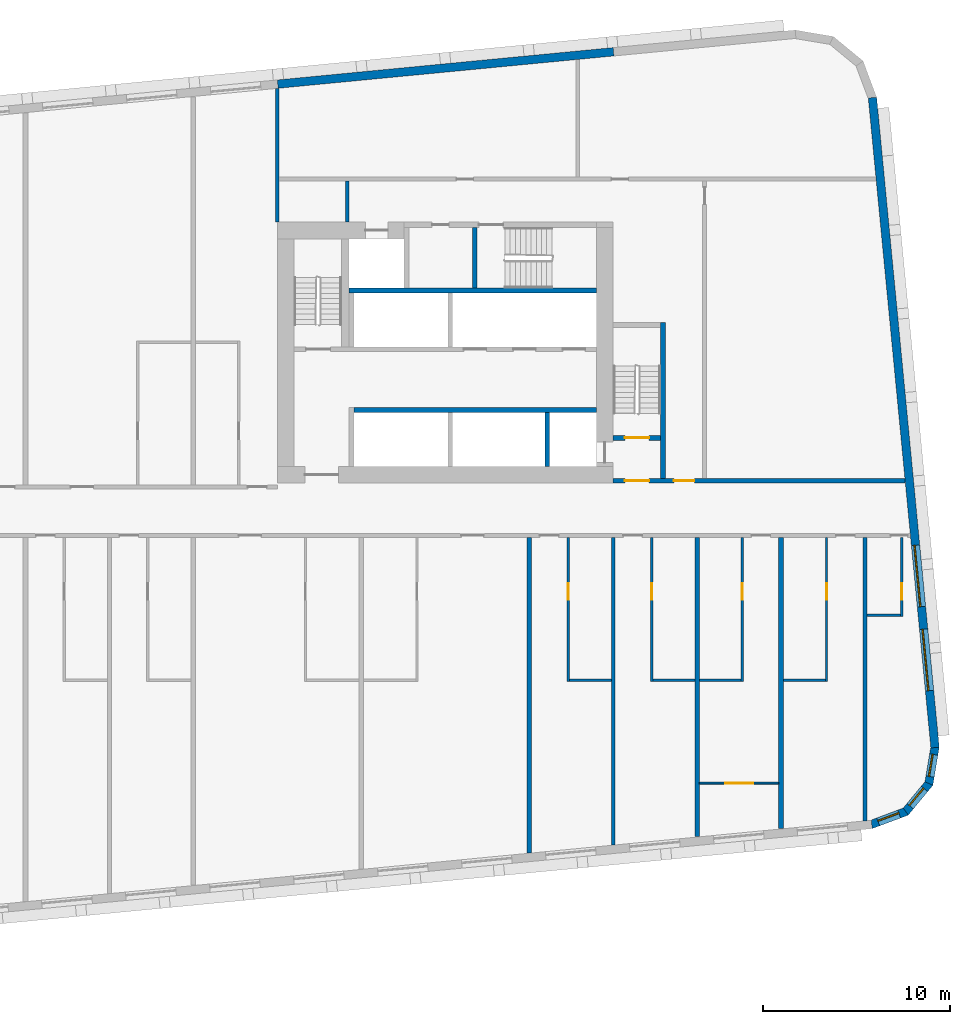
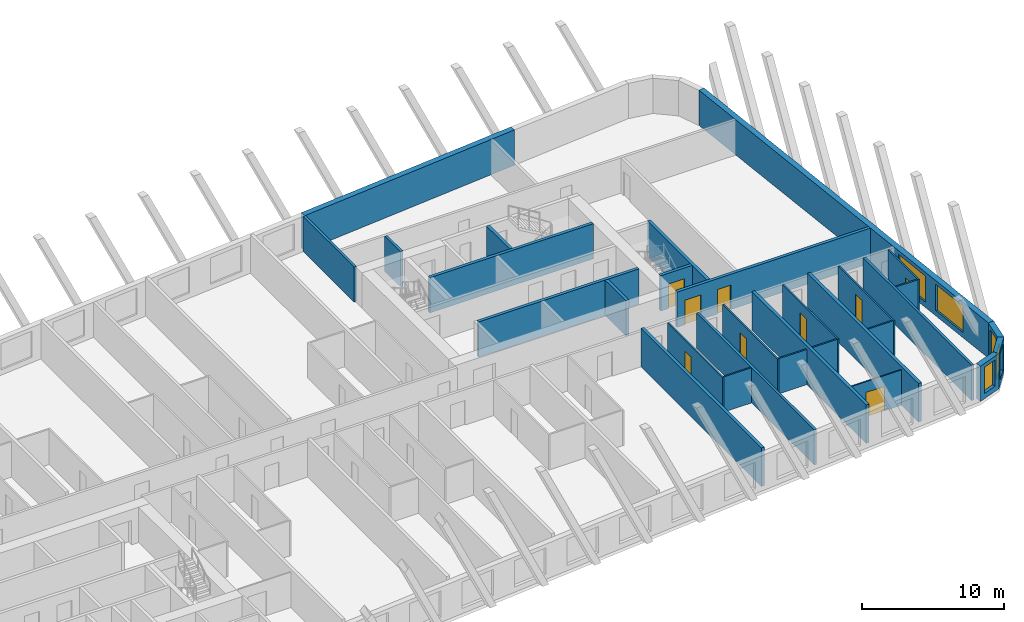
# One storey, part 7 of 13: 30 walls, 9 doors, 5 windows, 14 openings.
"""IFC4 building model written with IfcOpenShell, lengths in metres."""

from ifc_helpers import new_model, si_unit, direction, frame, frame_2d, origin, place, context, subcontext, project, spatial, polyline, rectangle, outline, extrude, material, layer, layer_set, type_object, element, fill, save


model = new_model("IFC4")

# Units and contexts
model_context = context("Model", 3, precision=1e-05, world=origin(), true_north=direction((0.0, 1.0)))
body_context = subcontext(model_context, "Body", "Model", "MODEL_VIEW")
ifc_project = project(units=[si_unit("LENGTHUNIT", "METRE"), si_unit("AREAUNIT", "SQUARE_METRE"), si_unit("VOLUMEUNIT", "CUBIC_METRE"), si_unit("PLANEANGLEUNIT", "RADIAN"), si_unit("MASSUNIT", "GRAM", prefix="KILO")], contexts=[model_context])

# Site, building, storey
site_placement = place(None, origin())
site = spatial("IfcSite", under=ifc_project, at=site_placement, CompositionType="ELEMENT")
building_placement = place(site_placement, origin())
building = spatial("IfcBuilding", under=site, at=building_placement, Name="Kajstack Hotel Tower", CompositionType="ELEMENT")
storey_placement = place(building_placement, frame((0.0, 0.0, 130.60009765625)))
storey = spatial("IfcBuildingStorey", under=building, at=storey_placement, Name="L29", CompositionType="ELEMENT", Elevation=130.60009765625)

# Walls
ifc_material_1 = material(Name="Twin-frame gypsum board on steel studs, mineral wool", Category="steel")
ifc_layer_1 = layer(ifc_material_1, 0.199951171875)
ifc_layer_set_1 = layer_set([ifc_layer_1], Name="Demising wall 200")
wall_type_1 = type_object("IfcWallType", Name="Demising wall 200", PredefinedType="PARTITIONING", material=ifc_layer_set_1)
wall_1_placement = place(storey_placement, frame((13.5, 15.5, 0.0), z_axis=(0.0, 0.0, 1.0), x_axis=(0.0, 1.0, 0.0)))
element("IfcWall", 1, at=wall_1_placement, inside=storey, type_object=wall_type_1, Name="G-wall-L29-001", PredefinedType="PARTITIONING", context=body_context, shape_type="SweptSolid", body=[
    extrude(rectangle(XDim=7.162109375, YDim=0.199951171875, at=frame_2d((3.5810546875, 0.0))), origin(), (0.0, 0.0, 1.0), 3.02001953125),
])
wall_2_placement = place(storey_placement, frame((31.5, -17.89892578125, 0.0), z_axis=(0.0, 0.0, 1.0), x_axis=(0.0, 1.0, 0.0)))
element("IfcWall", 2, at=wall_2_placement, inside=storey, type_object=wall_type_1, Name="G-wall-L29-036", PredefinedType="PARTITIONING", context=body_context, shape_type="SweptSolid", body=[
    extrude(rectangle(XDim=16.4990234375, YDim=0.199951171875, at=frame_2d((8.24951171875, 0.0))), origin(), (0.0, 0.0, 1.0), 3.02001953125),
])
wall_3_placement = place(storey_placement, frame((45.0, -16.59912109375, 0.0), z_axis=(0.0, 0.0, 1.0), x_axis=(0.0, 1.0, 0.0)))
element("IfcWall", 3, at=wall_3_placement, inside=storey, type_object=wall_type_1, Name="G-wall-L29-044", PredefinedType="PARTITIONING", context=body_context, shape_type="SweptSolid", body=[
    extrude(rectangle(XDim=15.19921875, YDim=0.199951171875, at=frame_2d((7.599609375, 0.0))), origin(), (0.0, 0.0, 1.0), 3.02001953125),
])
ifc_material_2 = material(Name="Concrete C40/50", Category="concrete")
ifc_layer_2 = layer(ifc_material_2, 0.449951171875)
ifc_layer_set_2 = layer_set([ifc_layer_2], Name="EW-CORE")
wall_type_2 = type_object("IfcWallType", Name="EW-CORE", PredefinedType="SOLIDWALL", material=ifc_layer_set_2)
wall_4_placement = place(storey_placement, frame((31.521484375, 24.623291015625, 0.0), z_axis=(0.0, 0.0, 1.0), x_axis=(-0.995396454615, -0.095843091245, 0.0)))
element("IfcWall", 4, at=wall_4_placement, inside=storey, type_object=wall_type_2, Name="E-wall-L29-12-01", PredefinedType="SOLIDWALL", context=body_context, shape_type="SweptSolid", body=[
    extrude(rectangle(XDim=18.083251953125, YDim=0.449951171875, at=frame_2d((9.04150390625, 0.0))), origin(), (0.0, 0.0, 1.0), 3.02001953125),
])

# Wall, opening, window
ifc_material_3 = material(Name="Terracotta-faced brick masonry", Category="masonry")
ifc_layer_3 = layer(ifc_material_3, 0.449951171875)
ifc_layer_set_3 = layer_set([ifc_layer_3], Name="EW-TERRA")
wall_type_3 = type_object("IfcWallType", Name="EW-TERRA", PredefinedType="SOLIDWALL", material=ifc_layer_set_3)
wall_5_placement = place(storey_placement, frame((45.300048828125, -16.804443359375, 0.0), z_axis=(0.0, 0.0, 1.0), x_axis=(0.936677599948, 0.350192909346, 0.0)))
wall_5 = element("IfcWall", 5, at=wall_5_placement, inside=storey, type_object=wall_type_3, Name="E-wall-L29-05-00", PredefinedType="SOLIDWALL", context=body_context, shape_type="SweptSolid", body=[
    extrude(outline(polyline([(0.0, -0.224853515625), (2.070556640625, -0.224853515625), (1.949951171875, 0.22509765625), (0.12060546875, 0.22509765625), (0.0, -0.224853515625)])), origin(), (0.0, 0.0, 1.0), 3.02001953125),
])
opening_1_placement = place(wall_5_placement, frame((0.435302734375, 0.0, 0.449951171875)))
opening_1 = element("IfcOpeningElement", 6, at=opening_1_placement, cuts=wall_5, Name="Opening W3", PredefinedType="OPENING", context=body_context, shape_type="SweptSolid", body=[
    extrude(rectangle(XDim=1.199951171875, YDim=2.25, at=frame_2d((0.60009765625, 1.125))), frame((0.0, 0.23486328125, 0.0), z_axis=(0.0, -1.0, 0.0), x_axis=(1.0, 0.0, 0.0)), (0.0, 0.0, 1.0), 0.469970703125),
])
ifc_material_4 = material(Name="Timber-aluminium window, triple glazed", Category="wood")
window_type_1 = type_object("IfcWindowType", Name="WG3", PartitioningType="SINGLE_PANEL", PredefinedType="WINDOW", material=ifc_material_4)
window_1_placement = place(opening_1_placement, origin())
window_1 = element("IfcWindow", 7, at=window_1_placement, inside=storey, type_object=window_type_1, Name="Window W3 L29-05", OverallHeight=2.25, OverallWidth=1.199951171875, PartitioningType="SINGLE_PANEL", PredefinedType="WINDOW", context=body_context, shape_type="SweptSolid", body=[
    extrude(rectangle(XDim=1.199951171875, YDim=2.25, at=frame_2d((0.60009765625, 1.125))), frame((0.0, 0.090087890625, 0.0), z_axis=(0.0, -1.0, 0.0), x_axis=(1.0, 0.0, 0.0)), (0.0, 0.0, 1.0), 0.06005859375),
])
fill(opening_1, window_1)

wall_6_placement = place(storey_placement, frame((47.144775390625, -16.14697265625, 0.0), z_axis=(0.0, 0.0, 1.0), x_axis=(0.635988241739, 0.771698747161, 0.0)))
wall_6 = element("IfcWall", 8, at=wall_6_placement, inside=storey, type_object=wall_type_3, Name="E-wall-L29-06-00", PredefinedType="SOLIDWALL", context=body_context, shape_type="SweptSolid", body=[
    extrude(outline(polyline([(0.0, -0.224853515625), (2.070556640625, -0.22509765625), (1.949951171875, 0.224853515625), (0.12060546875, 0.22509765625), (0.0, -0.224853515625)])), origin(), (0.0, 0.0, 1.0), 3.02001953125),
])
opening_2_placement = place(wall_6_placement, frame((0.435302734375, 0.0, 0.449951171875)))
opening_2 = element("IfcOpeningElement", 9, at=opening_2_placement, cuts=wall_6, Name="Opening W3", PredefinedType="OPENING", context=body_context, shape_type="SweptSolid", body=[
    extrude(rectangle(XDim=1.199951171875, YDim=2.25, at=frame_2d((0.60009765625, 1.125))), frame((0.0, 0.23486328125, 0.0), z_axis=(0.0, -1.0, 0.0), x_axis=(1.0, 0.0, 0.0)), (0.0, 0.0, 1.0), 0.469970703125),
])
window_2_placement = place(opening_2_placement, origin())
window_2 = element("IfcWindow", 10, at=window_2_placement, inside=storey, type_object=window_type_1, Name="Window W3 L29-06", OverallHeight=2.25, OverallWidth=1.199951171875, PartitioningType="SINGLE_PANEL", PredefinedType="WINDOW", context=body_context, shape_type="SweptSolid", body=[
    extrude(rectangle(XDim=1.199951171875, YDim=2.25, at=frame_2d((0.60009765625, 1.125))), frame((0.0, 0.090087890625, 0.0), z_axis=(0.0, -1.0, 0.0), x_axis=(1.0, 0.0, 0.0)), (0.0, 0.0, 1.0), 0.06005859375),
])
fill(opening_2, window_2)

wall_7_placement = place(storey_placement, frame((48.413330078125, -14.6552734375, 0.0), z_axis=(0.0, 0.0, 1.0), x_axis=(0.165068144653, 0.986282164302, 0.0)))
wall_7 = element("IfcWall", 11, at=wall_7_placement, inside=storey, type_object=wall_type_3, Name="E-wall-L29-07-00", PredefinedType="SOLIDWALL", context=body_context, shape_type="SweptSolid", body=[
    extrude(outline(polyline([(0.0, -0.22509765625), (2.07080078125, -0.224853515625), (1.9501953125, 0.22509765625), (0.12060546875, 0.224853515625), (0.0, -0.22509765625)])), origin(), (0.0, 0.0, 1.0), 3.02001953125),
])
opening_3_placement = place(wall_7_placement, frame((0.435302734375, 0.0, 0.449951171875)))
opening_3 = element("IfcOpeningElement", 12, at=opening_3_placement, cuts=wall_7, Name="Opening W3", PredefinedType="OPENING", context=body_context, shape_type="SweptSolid", body=[
    extrude(rectangle(XDim=1.199951171875, YDim=2.25, at=frame_2d((0.60009765625, 1.125))), frame((0.0, 0.23486328125, 0.0), z_axis=(0.0, -1.0, 0.0), x_axis=(1.0, 0.0, 0.0)), (0.0, 0.0, 1.0), 0.469970703125),
])
window_3_placement = place(opening_3_placement, origin())
window_3 = element("IfcWindow", 13, at=window_3_placement, inside=storey, type_object=window_type_1, Name="Window W3 L29-07", OverallHeight=2.25, OverallWidth=1.199951171875, PartitioningType="SINGLE_PANEL", PredefinedType="WINDOW", context=body_context, shape_type="SweptSolid", body=[
    extrude(rectangle(XDim=1.199951171875, YDim=2.25, at=frame_2d((0.60009765625, 1.125))), frame((0.0, 0.090087890625, 0.0), z_axis=(0.0, -1.0, 0.0), x_axis=(1.0, 0.0, 0.0)), (0.0, 0.0, 1.0), 0.06005859375),
])
fill(opening_3, window_3)

# Wall, openings, windows
wall_8_placement = place(storey_placement, frame((48.7529296875, -12.671630859375, 0.0), z_axis=(0.0, 0.0, 1.0), x_axis=(-0.095842661909, 0.995396495954, 0.0)))
wall_8 = element("IfcWall", 14, at=wall_8_placement, inside=storey, type_object=wall_type_3, Name="E-wall-L29-08-00", PredefinedType="SOLIDWALL", context=body_context, shape_type="SweptSolid", body=[
    extrude(rectangle(XDim=35.0, YDim=0.449951171875, at=frame_2d((17.5, 0.0))), origin(), (0.0, 0.0, 1.0), 3.02001953125),
])
opening_4_placement = place(wall_8_placement, frame((3.07177734375, 0.0, 0.449951171875)))
opening_4 = element("IfcOpeningElement", 15, at=opening_4_placement, cuts=wall_8, Name="Opening W2", PredefinedType="OPENING", context=body_context, shape_type="SweptSolid", body=[
    extrude(rectangle(XDim=3.300048828125, YDim=2.25, at=frame_2d((1.64990234375, 1.125))), frame((0.0, 0.23486328125, 0.0), z_axis=(0.0, -1.0, 0.0), x_axis=(1.0, 0.0, 0.0)), (0.0, 0.0, 1.0), 0.469970703125),
])
opening_5_placement = place(wall_8_placement, frame((7.592529296875, 0.0, 0.449951171875)))
opening_5 = element("IfcOpeningElement", 16, at=opening_5_placement, cuts=wall_8, Name="Opening W2", PredefinedType="OPENING", context=body_context, shape_type="SweptSolid", body=[
    extrude(rectangle(XDim=3.300048828125, YDim=2.25, at=frame_2d((1.64990234375, 1.125))), frame((0.0, 0.23486328125, 0.0), z_axis=(0.0, -1.0, 0.0), x_axis=(1.0, 0.0, 0.0)), (0.0, 0.0, 1.0), 0.469970703125),
])
window_type_2 = type_object("IfcWindowType", Name="WG2", PartitioningType="SINGLE_PANEL", PredefinedType="WINDOW", material=ifc_material_4)
window_4_placement = place(opening_4_placement, origin())
window_4 = element("IfcWindow", 17, at=window_4_placement, inside=storey, type_object=window_type_2, Name="Window W2 L29-08", OverallHeight=2.25, OverallWidth=3.300048828125, PartitioningType="SINGLE_PANEL", PredefinedType="WINDOW", context=body_context, shape_type="SweptSolid", body=[
    extrude(rectangle(XDim=3.300048828125, YDim=2.25, at=frame_2d((1.64990234375, 1.125))), frame((0.0, 0.090087890625, 0.0), z_axis=(0.0, -1.0, 0.0), x_axis=(1.0, 0.0, 0.0)), (0.0, 0.0, 1.0), 0.06005859375),
])
fill(opening_4, window_4)
window_5_placement = place(opening_5_placement, origin())
window_5 = element("IfcWindow", 18, at=window_5_placement, inside=storey, type_object=window_type_2, Name="Window W2 L29-08", OverallHeight=2.25, OverallWidth=3.300048828125, PartitioningType="SINGLE_PANEL", PredefinedType="WINDOW", context=body_context, shape_type="SweptSolid", body=[
    extrude(rectangle(XDim=3.300048828125, YDim=2.25, at=frame_2d((1.64990234375, 1.125))), frame((0.0, 0.090087890625, 0.0), z_axis=(0.0, -1.0, 0.0), x_axis=(1.0, 0.0, 0.0)), (0.0, 0.0, 1.0), 0.06005859375),
])
fill(opening_5, window_5)

# Wall, opening, door
ifc_material_5 = material(Name="Gypsum board and tiled backer on steel studs", Category="steel")
ifc_layer_4 = layer(ifc_material_5, 0.125)
ifc_layer_set_4 = layer_set([ifc_layer_4], Name="En-suite wall 125")
wall_type_4 = type_object("IfcWallType", Name="En-suite wall 125", PredefinedType="PARTITIONING", material=ifc_layer_set_4)
wall_9_placement = place(storey_placement, frame((29.0869140625, -9.125, 0.0), z_axis=(0.0, 0.0, 1.0), x_axis=(0.0, 1.0, 0.0)))
wall_9 = element("IfcWall", 19, at=wall_9_placement, inside=storey, type_object=wall_type_4, Name="G-wall-L29-037", PredefinedType="PARTITIONING", context=body_context, shape_type="SweptSolid", body=[
    extrude(rectangle(XDim=7.72509765625, YDim=0.125, at=frame_2d((3.862548828125, 0.0))), origin(), (0.0, 0.0, 1.0), 3.02001953125),
])
opening_6_placement = place(wall_9_placement, frame((4.375, 0.0, 0.0)))
opening_6 = element("IfcOpeningElement", 20, at=opening_6_placement, cuts=wall_9, Name="Opening 29031", PredefinedType="OPENING", context=body_context, shape_type="SweptSolid", body=[
    extrude(rectangle(XDim=0.89990234375, YDim=2.10009765625, at=frame_2d((0.449951171875, 1.050048828125))), frame((0.0, 0.072509765625, 0.0), z_axis=(0.0, -1.0, 0.0), x_axis=(1.0, 0.0, 0.0)), (0.0, 0.0, 1.0), 0.14501953125),
])
ifc_material_6 = material(Name="Painted timber door leaf", Category="wood")
door_type_1 = type_object("IfcDoorType", Name="Room door 900", OperationType="SINGLE_SWING_LEFT", PredefinedType="DOOR", material=ifc_material_6)
door_1_placement = place(opening_6_placement, origin())
door_1 = element("IfcDoor", 21, at=door_1_placement, inside=storey, type_object=door_type_1, Name="G-door-L29-31", OperationType="SINGLE_SWING_RIGHT", OverallHeight=2.10009765625, OverallWidth=0.89990234375, PredefinedType="DOOR", context=body_context, shape_type="SweptSolid", body=[
    extrude(rectangle(XDim=0.89990234375, YDim=2.10009765625, at=frame_2d((0.449951171875, 1.050048828125))), frame((0.0, 0.02490234375, 0.0), z_axis=(0.0, -1.0, 0.0), x_axis=(1.0, 0.0, 0.0)), (0.0, 0.0, 1.0), 0.050048828125),
])
fill(opening_6, door_1)

# Wall
wall_10_placement = place(storey_placement, frame((29.14990234375, -9.06201171875, 0.0), z_axis=(0.0, 0.0, 1.0), x_axis=(1.0, 0.0, 0.0)))
element("IfcWall", 22, at=wall_10_placement, inside=storey, type_object=wall_type_4, Name="G-wall-L29-038", PredefinedType="PARTITIONING", context=body_context, shape_type="SweptSolid", body=[
    extrude(rectangle(XDim=2.25, YDim=0.125, at=frame_2d((1.125, 0.0))), origin(), (0.0, 0.0, 1.0), 3.02001953125),
])

# Wall, opening, door
wall_11_placement = place(storey_placement, frame((33.56201171875, -9.125, 0.0), z_axis=(0.0, 0.0, 1.0), x_axis=(0.0, 1.0, 0.0)))
wall_11 = element("IfcWall", 23, at=wall_11_placement, inside=storey, type_object=wall_type_4, Name="G-wall-L29-039", PredefinedType="PARTITIONING", context=body_context, shape_type="SweptSolid", body=[
    extrude(rectangle(XDim=7.72509765625, YDim=0.125, at=frame_2d((3.862548828125, 0.0))), origin(), (0.0, 0.0, 1.0), 3.02001953125),
])
opening_7_placement = place(wall_11_placement, frame((4.375, 0.0, 0.0)))
opening_7 = element("IfcOpeningElement", 24, at=opening_7_placement, cuts=wall_11, Name="Opening 29033", PredefinedType="OPENING", context=body_context, shape_type="SweptSolid", body=[
    extrude(rectangle(XDim=0.89990234375, YDim=2.10009765625, at=frame_2d((0.449951171875, 1.050048828125))), frame((0.0, 0.072509765625, 0.0), z_axis=(0.0, -1.0, 0.0), x_axis=(1.0, 0.0, 0.0)), (0.0, 0.0, 1.0), 0.14501953125),
])
door_2_placement = place(opening_7_placement, origin())
door_2 = element("IfcDoor", 25, at=door_2_placement, inside=storey, type_object=door_type_1, Name="G-door-L29-33", OperationType="SINGLE_SWING_RIGHT", OverallHeight=2.10009765625, OverallWidth=0.89990234375, PredefinedType="DOOR", context=body_context, shape_type="SweptSolid", body=[
    extrude(rectangle(XDim=0.89990234375, YDim=2.10009765625, at=frame_2d((0.449951171875, 1.050048828125))), frame((0.0, 0.02490234375, 0.0), z_axis=(0.0, -1.0, 0.0), x_axis=(1.0, 0.0, 0.0)), (0.0, 0.0, 1.0), 0.050048828125),
])
fill(opening_7, door_2)

# Wall
wall_12_placement = place(storey_placement, frame((33.625, -9.06201171875, 0.0), z_axis=(0.0, 0.0, 1.0), x_axis=(1.0, 0.0, 0.0)))
element("IfcWall", 26, at=wall_12_placement, inside=storey, type_object=wall_type_4, Name="G-wall-L29-040", PredefinedType="PARTITIONING", context=body_context, shape_type="SweptSolid", body=[
    extrude(rectangle(XDim=2.25, YDim=0.125, at=frame_2d((1.125, 0.0))), origin(), (0.0, 0.0, 1.0), 3.02001953125),
])

# Wall, opening, door
wall_13_placement = place(storey_placement, frame((38.4130859375, -9.125, 0.0), z_axis=(0.0, 0.0, 1.0), x_axis=(0.0, 1.0, 0.0)))
wall_13 = element("IfcWall", 27, at=wall_13_placement, inside=storey, type_object=wall_type_4, Name="G-wall-L29-041", PredefinedType="PARTITIONING", context=body_context, shape_type="SweptSolid", body=[
    extrude(rectangle(XDim=7.72509765625, YDim=0.125, at=frame_2d((3.862548828125, 0.0))), origin(), (0.0, 0.0, 1.0), 3.02001953125),
])
opening_8_placement = place(wall_13_placement, frame((4.375, 0.0, 0.0)))
opening_8 = element("IfcOpeningElement", 28, at=opening_8_placement, cuts=wall_13, Name="Opening 29035", PredefinedType="OPENING", context=body_context, shape_type="SweptSolid", body=[
    extrude(rectangle(XDim=0.89990234375, YDim=2.10009765625, at=frame_2d((0.449951171875, 1.050048828125))), frame((0.0, 0.072509765625, 0.0), z_axis=(0.0, -1.0, 0.0), x_axis=(1.0, 0.0, 0.0)), (0.0, 0.0, 1.0), 0.14501953125),
])
door_3_placement = place(opening_8_placement, origin())
door_3 = element("IfcDoor", 29, at=door_3_placement, inside=storey, type_object=door_type_1, Name="G-door-L29-35", OperationType="SINGLE_SWING_RIGHT", OverallHeight=2.10009765625, OverallWidth=0.89990234375, PredefinedType="DOOR", context=body_context, shape_type="SweptSolid", body=[
    extrude(rectangle(XDim=0.89990234375, YDim=2.10009765625, at=frame_2d((0.449951171875, 1.050048828125))), frame((0.0, 0.02490234375, 0.0), z_axis=(0.0, -1.0, 0.0), x_axis=(1.0, 0.0, 0.0)), (0.0, 0.0, 1.0), 0.050048828125),
])
fill(opening_8, door_3)

# Wall
wall_14_placement = place(storey_placement, frame((36.125, -9.06201171875, 0.0), z_axis=(0.0, 0.0, 1.0), x_axis=(1.0, 0.0, 0.0)))
element("IfcWall", 30, at=wall_14_placement, inside=storey, type_object=wall_type_4, Name="G-wall-L29-042", PredefinedType="PARTITIONING", context=body_context, shape_type="SweptSolid", body=[
    extrude(rectangle(XDim=2.22509765625, YDim=0.125, at=frame_2d((1.112548828125, 0.0))), origin(), (0.0, 0.0, 1.0), 3.02001953125),
])

# Wall, opening, door
wall_15_placement = place(storey_placement, frame((42.93798828125, -9.125, 0.0), z_axis=(0.0, 0.0, 1.0), x_axis=(0.0, 1.0, 0.0)))
wall_15 = element("IfcWall", 31, at=wall_15_placement, inside=storey, type_object=wall_type_4, Name="G-wall-L29-045", PredefinedType="PARTITIONING", context=body_context, shape_type="SweptSolid", body=[
    extrude(rectangle(XDim=7.72509765625, YDim=0.125, at=frame_2d((3.862548828125, 0.0))), origin(), (0.0, 0.0, 1.0), 3.02001953125),
])
opening_9_placement = place(wall_15_placement, frame((4.375, 0.0, 0.0)))
opening_9 = element("IfcOpeningElement", 32, at=opening_9_placement, cuts=wall_15, Name="Opening 29038", PredefinedType="OPENING", context=body_context, shape_type="SweptSolid", body=[
    extrude(rectangle(XDim=0.89990234375, YDim=2.10009765625, at=frame_2d((0.449951171875, 1.050048828125))), frame((0.0, 0.072509765625, 0.0), z_axis=(0.0, -1.0, 0.0), x_axis=(1.0, 0.0, 0.0)), (0.0, 0.0, 1.0), 0.14501953125),
])
door_4_placement = place(opening_9_placement, origin())
door_4 = element("IfcDoor", 33, at=door_4_placement, inside=storey, type_object=door_type_1, Name="G-door-L29-38", OperationType="SINGLE_SWING_LEFT", OverallHeight=2.10009765625, OverallWidth=0.89990234375, PredefinedType="DOOR", context=body_context, shape_type="SweptSolid", body=[
    extrude(rectangle(XDim=0.89990234375, YDim=2.10009765625, at=frame_2d((0.449951171875, 1.050048828125))), frame((0.0, 0.02490234375, 0.0), z_axis=(0.0, -1.0, 0.0), x_axis=(1.0, 0.0, 0.0)), (0.0, 0.0, 1.0), 0.050048828125),
])
fill(opening_9, door_4)

# Wall
wall_16_placement = place(storey_placement, frame((40.625, -9.06201171875, 0.0), z_axis=(0.0, 0.0, 1.0), x_axis=(1.0, 0.0, 0.0)))
element("IfcWall", 34, at=wall_16_placement, inside=storey, type_object=wall_type_4, Name="G-wall-L29-046", PredefinedType="PARTITIONING", context=body_context, shape_type="SweptSolid", body=[
    extrude(rectangle(XDim=2.25, YDim=0.125, at=frame_2d((1.125, 0.0))), origin(), (0.0, 0.0, 1.0), 3.02001953125),
])

# Wall, opening, door
wall_17_placement = place(storey_placement, frame((46.9619140625, -5.634033203125, 0.0), z_axis=(0.0, 0.0, 1.0), x_axis=(0.0, 1.0, 0.0)))
wall_17 = element("IfcWall", 35, at=wall_17_placement, inside=storey, type_object=wall_type_4, Name="G-wall-L29-047", PredefinedType="PARTITIONING", context=body_context, shape_type="SweptSolid", body=[
    extrude(rectangle(XDim=4.234130859375, YDim=0.125, at=frame_2d((2.1171875, 0.0))), origin(), (0.0, 0.0, 1.0), 3.02001953125),
])
opening_10_placement = place(wall_17_placement, frame((0.884033203125, 0.0, 0.0)))
opening_10 = element("IfcOpeningElement", 36, at=opening_10_placement, cuts=wall_17, Name="Opening 29040", PredefinedType="OPENING", context=body_context, shape_type="SweptSolid", body=[
    extrude(rectangle(XDim=0.89990234375, YDim=2.10009765625, at=frame_2d((0.449951171875, 1.050048828125))), frame((0.0, 0.072509765625, 0.0), z_axis=(0.0, -1.0, 0.0), x_axis=(1.0, 0.0, 0.0)), (0.0, 0.0, 1.0), 0.14501953125),
])
door_5_placement = place(opening_10_placement, origin())
door_5 = element("IfcDoor", 37, at=door_5_placement, inside=storey, type_object=door_type_1, Name="G-door-L29-40", OperationType="SINGLE_SWING_RIGHT", OverallHeight=2.10009765625, OverallWidth=0.89990234375, PredefinedType="DOOR", context=body_context, shape_type="SweptSolid", body=[
    extrude(rectangle(XDim=0.89990234375, YDim=2.10009765625, at=frame_2d((0.449951171875, 1.050048828125))), frame((0.0, 0.02490234375, 0.0), z_axis=(0.0, -1.0, 0.0), x_axis=(1.0, 0.0, 0.0)), (0.0, 0.0, 1.0), 0.050048828125),
])
fill(opening_10, door_5)

# Wall
wall_18_placement = place(storey_placement, frame((45.10009765625, -5.572021484375, 0.0), z_axis=(0.0, 0.0, 1.0), x_axis=(1.0, 0.0, 0.0)))
element("IfcWall", 38, at=wall_18_placement, inside=storey, type_object=wall_type_4, Name="G-wall-L29-048", PredefinedType="PARTITIONING", context=body_context, shape_type="SweptSolid", body=[
    extrude(rectangle(XDim=1.7998046875, YDim=0.125, at=frame_2d((0.89990234375, 0.0))), origin(), (0.0, 0.0, 1.0), 3.02001953125),
])

# Wall, opening, door
ifc_material_7 = material(Name="Gypsum board on steel studs", Category="steel")
ifc_layer_5 = layer(ifc_material_7, 0.10009765625)
ifc_layer_set_5 = layer_set([ifc_layer_5], Name="Partition 100")
wall_type_5 = type_object("IfcWallType", Name="Partition 100", PredefinedType="PARTITIONING", material=ifc_layer_set_5)
wall_19_placement = place(storey_placement, frame((36.125, -14.574951171875, 0.0), z_axis=(0.0, 0.0, 1.0), x_axis=(1.0, 0.0, 0.0)))
wall_19 = element("IfcWall", 39, at=wall_19_placement, inside=storey, type_object=wall_type_5, Name="G-wall-L29-043", PredefinedType="PARTITIONING", context=body_context, shape_type="SweptSolid", body=[
    extrude(rectangle(XDim=4.25, YDim=0.10009765625, at=frame_2d((2.125, 0.0))), origin(), (0.0, 0.0, 1.0), 3.02001953125),
])
opening_11_placement = place(wall_19_placement, frame((1.375, 0.0, 0.0)))
opening_11 = element("IfcOpeningElement", 40, at=opening_11_placement, cuts=wall_19, Name="Opening 29036", PredefinedType="OPENING", context=body_context, shape_type="SweptSolid", body=[
    extrude(rectangle(XDim=1.5, YDim=2.10009765625, at=frame_2d((0.75, 1.050048828125))), frame((0.0, 0.06005859375, 0.0), z_axis=(0.0, -1.0, 0.0), x_axis=(1.0, 0.0, 0.0)), (0.0, 0.0, 1.0), 0.1201171875),
])
ifc_material_8 = material(Name="Painted timber door leaves, glazed panels", Category="wood")
door_type_2 = type_object("IfcDoorType", Name="Double door 1500", OperationType="SINGLE_SWING_LEFT", PredefinedType="DOOR", material=ifc_material_8)
door_6_placement = place(opening_11_placement, origin())
door_6 = element("IfcDoor", 41, at=door_6_placement, inside=storey, type_object=door_type_2, Name="G-door-L29-36", OperationType="SINGLE_SWING_LEFT", OverallHeight=2.10009765625, OverallWidth=1.5, PredefinedType="DOOR", context=body_context, shape_type="SweptSolid", body=[
    extrude(rectangle(XDim=1.5, YDim=2.10009765625, at=frame_2d((0.75, 1.050048828125))), frame((0.0, 0.02490234375, 0.0), z_axis=(0.0, -1.0, 0.0), x_axis=(1.0, 0.0, 0.0)), (0.0, 0.0, 1.0), 0.050048828125),
])
fill(opening_11, door_6)

# Walls
ifc_material_9 = material(Name="Concrete C55/67", Category="concrete")
ifc_layer_6 = layer(ifc_material_9, 0.25)
ifc_layer_set_6 = layer_set([ifc_layer_6], Name="RC cross wall 250 C55/67")
wall_type_6 = type_object("IfcWallType", Name="RC cross wall 250 C55/67", PredefinedType="SHEAR", material=ifc_layer_set_6)
wall_20_placement = place(storey_placement, frame((27.0, -18.310546875, 0.0), z_axis=(0.0, 0.0, 1.0), x_axis=(0.0, 1.0, 0.0)))
element("IfcWall", 42, at=wall_20_placement, inside=storey, type_object=wall_type_6, Name="S-wall-L29-11", PredefinedType="SHEAR", context=body_context, shape_type="SweptSolid", body=[
    extrude(rectangle(XDim=16.91064453125, YDim=0.25, at=frame_2d((8.455322265625, 0.0))), origin(), (0.0, 0.0, 1.0), 3.2998046875),
])
wall_21_placement = place(storey_placement, frame((36.0, -17.444091796875, 0.0), z_axis=(0.0, 0.0, 1.0), x_axis=(0.0, 1.0, 0.0)))
element("IfcWall", 43, at=wall_21_placement, inside=storey, type_object=wall_type_6, Name="S-wall-L29-12", PredefinedType="SHEAR", context=body_context, shape_type="SweptSolid", body=[
    extrude(rectangle(XDim=16.044189453125, YDim=0.25, at=frame_2d((8.02197265625, 0.0))), origin(), (0.0, 0.0, 1.0), 3.2998046875),
])
wall_22_placement = place(storey_placement, frame((40.5, -17.0107421875, 0.0), z_axis=(0.0, 0.0, 1.0), x_axis=(0.0, 1.0, 0.0)))
element("IfcWall", 44, at=wall_22_placement, inside=storey, type_object=wall_type_6, Name="S-wall-L29-13", PredefinedType="SHEAR", context=body_context, shape_type="SweptSolid", body=[
    extrude(rectangle(XDim=15.61083984375, YDim=0.25, at=frame_2d((7.805419921875, 0.0))), origin(), (0.0, 0.0, 1.0), 3.2998046875),
])

# Wall, openings, doors
ifc_material_10 = material(Name="Gypsum board on steel studs, mineral wool", Category="steel")
ifc_layer_7 = layer(ifc_material_10, 0.199951171875)
ifc_layer_set_7 = layer_set([ifc_layer_7], Name="Service partition 200")
wall_type_7 = type_object("IfcWallType", Name="Service partition 200", PredefinedType="PARTITIONING", material=ifc_layer_set_7)
wall_23_placement = place(storey_placement, frame((31.5, 1.625, 0.0), z_axis=(0.0, 0.0, 1.0), x_axis=(1.0, 0.0, 0.0)))
wall_23 = element("IfcWall", 45, at=wall_23_placement, inside=storey, type_object=wall_type_7, Name="Partition E SN", PredefinedType="PARTITIONING", context=body_context, shape_type="SweptSolid", body=[
    extrude(rectangle(XDim=15.650390625, YDim=0.25, at=frame_2d((7.8251953125, 0.0))), origin(), (0.0, 0.0, 1.0), 3.02001953125),
])
opening_12_placement = place(wall_23_placement, frame((0.625, 0.0, 0.0)))
opening_12 = element("IfcOpeningElement", 46, at=opening_12_placement, cuts=wall_23, Name="Opening 29E07", PredefinedType="OPENING", context=body_context, shape_type="SweptSolid", body=[
    extrude(rectangle(XDim=1.300048828125, YDim=2.10009765625, at=frame_2d((0.64990234375, 1.050048828125))), frame((0.0, 0.135009765625, 0.0), z_axis=(0.0, -1.0, 0.0), x_axis=(1.0, 0.0, 0.0)), (0.0, 0.0, 1.0), 0.27001953125),
])
opening_13_placement = place(wall_23_placement, frame((3.25, 0.0, 0.0)))
opening_13 = element("IfcOpeningElement", 47, at=opening_13_placement, cuts=wall_23, Name="Opening 29E09", PredefinedType="OPENING", context=body_context, shape_type="SweptSolid", body=[
    extrude(rectangle(XDim=1.10009765625, YDim=2.10009765625, at=frame_2d((0.550048828125, 1.050048828125))), frame((0.0, 0.135009765625, 0.0), z_axis=(0.0, -1.0, 0.0), x_axis=(1.0, 0.0, 0.0)), (0.0, 0.0, 1.0), 0.27001953125),
])
ifc_material_11 = material(Name="Steel leaf, fire-rated", Category="steel")
door_type_3 = type_object("IfcDoorType", Name="Fire lobby door 1300", OperationType="SINGLE_SWING_LEFT", PredefinedType="DOOR", material=ifc_material_11)
door_7_placement = place(opening_12_placement, origin())
door_7 = element("IfcDoor", 48, at=door_7_placement, inside=storey, type_object=door_type_3, Name="Door 29E07", OperationType="SINGLE_SWING_LEFT", OverallHeight=2.10009765625, OverallWidth=1.300048828125, PredefinedType="DOOR", context=body_context, shape_type="SweptSolid", body=[
    extrude(rectangle(XDim=1.300048828125, YDim=2.10009765625, at=frame_2d((0.64990234375, 1.050048828125))), frame((0.0, 0.02490234375, 0.0), z_axis=(0.0, -1.0, 0.0), x_axis=(1.0, 0.0, 0.0)), (0.0, 0.0, 1.0), 0.050048828125),
])
fill(opening_12, door_7)
ifc_material_12 = material(Name="Timber leaf, fire-rated", Category="wood")
door_type_4 = type_object("IfcDoorType", Name="Service corridor door 1100", OperationType="SINGLE_SWING_LEFT", PredefinedType="DOOR", material=ifc_material_12)
door_8_placement = place(opening_13_placement, origin())
door_8 = element("IfcDoor", 49, at=door_8_placement, inside=storey, type_object=door_type_4, Name="Door 29E09", OperationType="SINGLE_SWING_LEFT", OverallHeight=2.10009765625, OverallWidth=1.10009765625, PredefinedType="DOOR", context=body_context, shape_type="SweptSolid", body=[
    extrude(rectangle(XDim=1.10009765625, YDim=2.10009765625, at=frame_2d((0.550048828125, 1.050048828125))), frame((0.0, 0.02490234375, 0.0), z_axis=(0.0, -1.0, 0.0), x_axis=(1.0, 0.0, 0.0)), (0.0, 0.0, 1.0), 0.050048828125),
])
fill(opening_13, door_8)

# Walls
wall_24_placement = place(storey_placement, frame((17.25, 15.5, 0.0), z_axis=(0.0, 0.0, 1.0), x_axis=(0.0, 1.0, 0.0)))
element("IfcWall", 50, at=wall_24_placement, inside=storey, type_object=wall_type_7, Name="Partition E SCE", PredefinedType="PARTITIONING", context=body_context, shape_type="SweptSolid", body=[
    extrude(rectangle(XDim=2.199951171875, YDim=0.199951171875, at=frame_2d((1.10009765625, 0.0))), origin(), (0.0, 0.0, 1.0), 3.02001953125),
])
ifc_material_13 = material(Name="Concrete C50/60", Category="concrete")
ifc_layer_8 = layer(ifc_material_13, 0.25)
ifc_layer_set_8 = layer_set([ifc_layer_8], Name="Shaft wall 250")
wall_type_8 = type_object("IfcWallType", Name="Shaft wall 250", PredefinedType="SHEAR", material=ifc_layer_set_8)
wall_25_placement = place(storey_placement, frame((17.60009765625, 5.425048828125, 0.0), z_axis=(0.0, 0.0, 1.0), x_axis=(1.0, 0.0, 0.0)))
element("IfcWall", 51, at=wall_25_placement, inside=storey, type_object=wall_type_8, Name="Core wall E FA", PredefinedType="SHEAR", context=body_context, shape_type="SweptSolid", body=[
    extrude(rectangle(XDim=13.0, YDim=0.25, at=frame_2d((6.5, 0.0))), origin(), (0.0, 0.0, 1.0), 3.02001953125),
])
wall_26_placement = place(storey_placement, frame((27.97509765625, 2.39990234375, 0.0), z_axis=(0.0, 0.0, 1.0), x_axis=(0.0, 1.0, 0.0)))
element("IfcWall", 52, at=wall_26_placement, inside=storey, type_object=wall_type_8, Name="Core wall E AP0", PredefinedType="SHEAR", context=body_context, shape_type="SweptSolid", body=[
    extrude(rectangle(XDim=2.900146484375, YDim=0.25, at=frame_2d((1.4501953125, 0.0))), origin(), (0.0, 0.0, 1.0), 3.02001953125),
])
wall_27_placement = place(storey_placement, frame((17.35009765625, 11.824951171875, 0.0), z_axis=(0.0, 0.0, 1.0), x_axis=(1.0, 0.0, 0.0)))
element("IfcWall", 53, at=wall_27_placement, inside=storey, type_object=wall_type_8, Name="Core wall E RB", PredefinedType="SHEAR", context=body_context, shape_type="SweptSolid", body=[
    extrude(rectangle(XDim=13.25, YDim=0.25, at=frame_2d((6.625, 0.0))), origin(), (0.0, 0.0, 1.0), 3.02001953125),
])

# Wall, opening, door
ifc_layer_9 = layer(ifc_material_2, 0.25)
ifc_layer_set_9 = layer_set([ifc_layer_9], Name="Stair enclosure wall 250")
wall_type_9 = type_object("IfcWallType", Name="Stair enclosure wall 250", PredefinedType="SHEAR", material=ifc_layer_set_9)
wall_28_placement = place(storey_placement, frame((31.5, 3.925048828125, 0.0), z_axis=(0.0, 0.0, 1.0), x_axis=(1.0, 0.0, 0.0)))
wall_28 = element("IfcWall", 54, at=wall_28_placement, inside=storey, type_object=wall_type_9, Name="Core wall E W1N", PredefinedType="SHEAR", context=body_context, shape_type="SweptSolid", body=[
    extrude(rectangle(XDim=2.550048828125, YDim=0.25, at=frame_2d((1.27490234375, 0.0))), origin(), (0.0, 0.0, 1.0), 3.02001953125),
])
opening_14_placement = place(wall_28_placement, frame((0.625, 0.0, 0.0)))
opening_14 = element("IfcOpeningElement", 55, at=opening_14_placement, cuts=wall_28, Name="Opening 29E08", PredefinedType="OPENING", context=body_context, shape_type="SweptSolid", body=[
    extrude(rectangle(XDim=1.300048828125, YDim=2.10009765625, at=frame_2d((0.64990234375, 1.050048828125))), frame((0.0, 0.135009765625, 0.0), z_axis=(0.0, -1.0, 0.0), x_axis=(1.0, 0.0, 0.0)), (0.0, 0.0, 1.0), 0.27001953125),
])
door_type_5 = type_object("IfcDoorType", Name="Stair door 1300", OperationType="SINGLE_SWING_LEFT", PredefinedType="DOOR", material=ifc_material_11)
door_9_placement = place(opening_14_placement, origin())
door_9 = element("IfcDoor", 56, at=door_9_placement, inside=storey, type_object=door_type_5, Name="Door 29E08", OperationType="SINGLE_SWING_LEFT", OverallHeight=2.10009765625, OverallWidth=1.300048828125, PredefinedType="DOOR", context=body_context, shape_type="SweptSolid", body=[
    extrude(rectangle(XDim=1.300048828125, YDim=2.10009765625, at=frame_2d((0.64990234375, 1.050048828125))), frame((0.0, 0.02490234375, 0.0), z_axis=(0.0, -1.0, 0.0), x_axis=(1.0, 0.0, 0.0)), (0.0, 0.0, 1.0), 0.050048828125),
])
fill(opening_14, door_9)

# Walls
wall_29_placement = place(storey_placement, frame((34.175048828125, 1.75, 0.0), z_axis=(0.0, 0.0, 1.0), x_axis=(0.0, 1.0, 0.0)))
element("IfcWall", 57, at=wall_29_placement, inside=storey, type_object=wall_type_9, Name="Core wall E W1W", PredefinedType="SHEAR", context=body_context, shape_type="SweptSolid", body=[
    extrude(rectangle(XDim=8.35009765625, YDim=0.25, at=frame_2d((4.175048828125, 0.0))), origin(), (0.0, 0.0, 1.0), 3.02001953125),
])
ifc_layer_10 = layer(ifc_material_13, 0.35009765625)
ifc_layer_set_10 = layer_set([ifc_layer_10], Name="Stair enclosure wall 350")
wall_type_10 = type_object("IfcWallType", Name="Stair enclosure wall 350", PredefinedType="SHEAR", material=ifc_layer_set_10)
wall_30_placement = place(storey_placement, frame((24.074951171875, 11.949951171875, 0.0), z_axis=(0.0, 0.0, 1.0), x_axis=(0.0, 1.0, 0.0)))
element("IfcWall", 58, at=wall_30_placement, inside=storey, type_object=wall_type_10, Name="Core wall E W3E", PredefinedType="SHEAR", context=body_context, shape_type="SweptSolid", body=[
    extrude(rectangle(XDim=3.25, YDim=0.25, at=frame_2d((1.625, 0.0))), origin(), (0.0, 0.0, 1.0), 3.02001953125),
])

save(model, "model.ifc")
